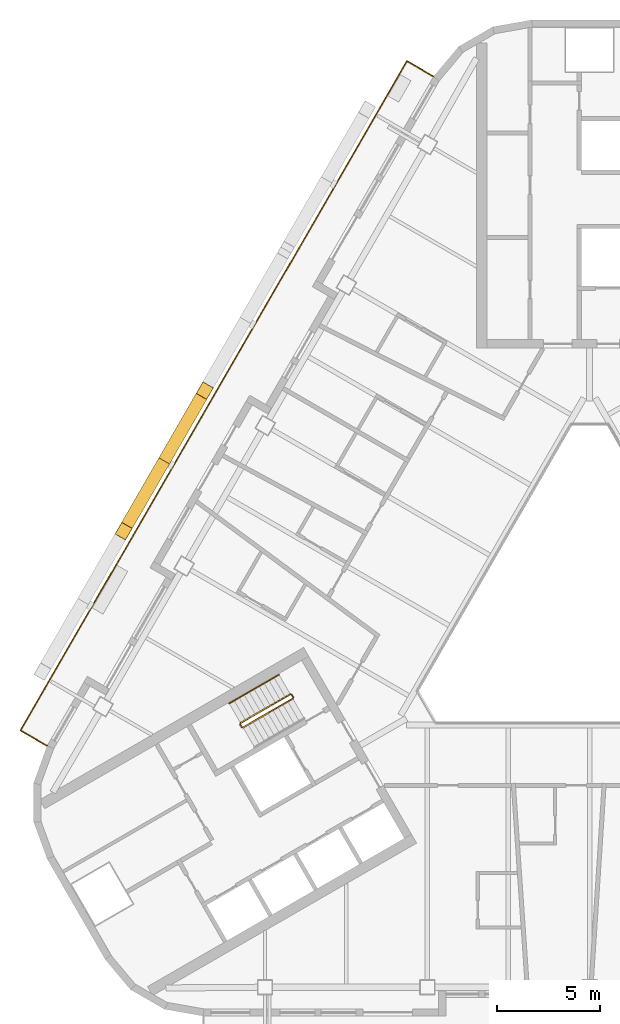
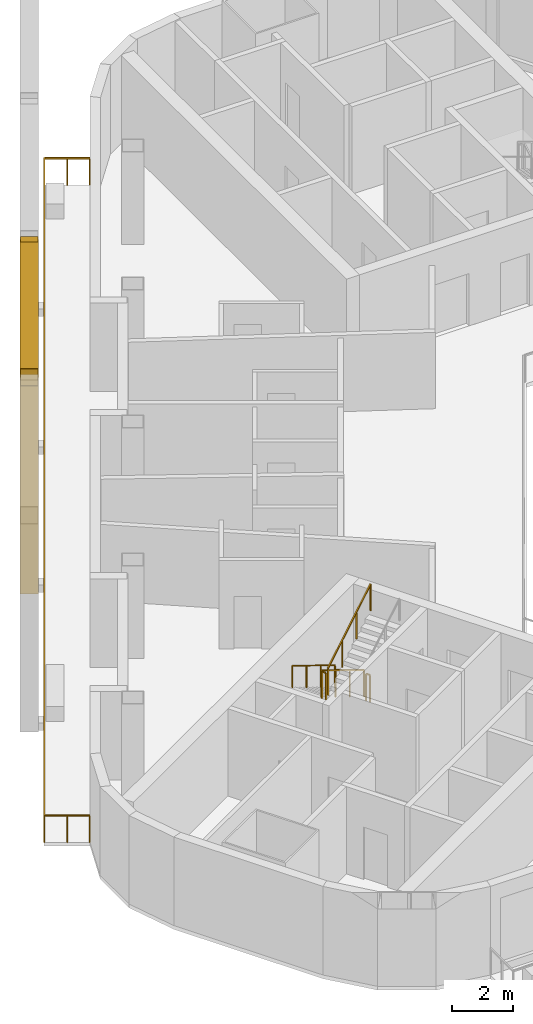
# One storey, part 10 of 14: 6 railings, 2 shading devices.
"""IFC4 building model written with IfcOpenShell, lengths in metres."""

import ifcopenshell
import ifcopenshell.guid

model = None  # the IFC model being written
_history = None  # IfcOwnerHistory: only IFC2X3 demands one
_inside = {}  # id of a spatial element -> (the spatial element, [elements in it])
_under = {}  # id of a project, library or spatial element -> (it, [spatial elements below it])
_declared = {}  # id of a project -> (the project, [libraries it declares])
_typed = {}  # id of a type object -> (the type object, [elements of that type])
_made_of = {}  # id of a material, layer set ... -> (it, [elements and type objects made of it])


def new_model(schema):
    """Start an empty IFC model of exactly this schema.

    Asked for "IFC4X3", IfcOpenShell would pick the latest addendum, in which some entities
    have other attributes; the version numbers below select the first issue.
    IFC2X3 requires an IfcOwnerHistory on every rooted entity: one is made here for all.
    """
    global model, _history
    if schema == "IFC4X3":
        model = ifcopenshell.file(schema_version=(4, 3, 0, 0))
    else:
        model = ifcopenshell.file(schema=schema)
    _inside.clear()
    _under.clear()
    _declared.clear()
    _typed.clear()
    _made_of.clear()
    _history = None
    if model.schema == "IFC2X3":
        org = make("IfcOrganization", Name="unknown")
        user = make(
            "IfcPersonAndOrganization",
            ThePerson=make("IfcPerson", FamilyName="unknown"),
            TheOrganization=org,
        )
        app = make(
            "IfcApplication",
            ApplicationDeveloper=org,
            Version="unknown",
            ApplicationFullName="unknown",
            ApplicationIdentifier="unknown",
        )
        _history = make(
            "IfcOwnerHistory",
            OwningUser=user,
            OwningApplication=app,
            ChangeAction="ADDED",
            CreationDate=0,
        )
    return model


def make(cls, **values):
    """One entity of the class cls with the attributes given. An attribute that is None is left unset."""
    return model.create_entity(
        cls, **{name: value for name, value in values.items() if value is not None}
    )


def rooted(cls, **values):
    """An entity with a GlobalId (a new one), such as an element, a storey or a relation."""
    return make(cls, GlobalId=ifcopenshell.guid.new(), OwnerHistory=_history, **values)


def si_unit(unit_type, name, prefix=None):
    """IfcSIUnit, for example si_unit("LENGTHUNIT", "METRE", prefix="MILLI")."""
    return make("IfcSIUnit", UnitType=unit_type, Prefix=prefix, Name=name)


def assignment(units):
    """IfcUnitAssignment: the units of a project."""
    return None if units is None else make("IfcUnitAssignment", Units=units)


def point(xyz):
    """IfcCartesianPoint."""
    return None if xyz is None else make("IfcCartesianPoint", Coordinates=xyz)


def direction(xyz):
    """IfcDirection."""
    return None if xyz is None else make("IfcDirection", DirectionRatios=xyz)


def frame(location, z_axis=None, x_axis=None):
    """IfcAxis2Placement3D, a coordinate frame: its origin and axes. An axis left out is left unset."""
    return make(
        "IfcAxis2Placement3D",
        Location=point(location),
        Axis=direction(z_axis),
        RefDirection=direction(x_axis),
    )


def frame_2d(location, x_axis=None):
    """IfcAxis2Placement2D, a coordinate frame in the plane: its origin and x axis."""
    return make(
        "IfcAxis2Placement2D", Location=point(location), RefDirection=direction(x_axis)
    )


def origin():
    """The frame at (0, 0, 0) with its axes left unset."""
    return frame((0.0, 0.0, 0.0))


def origin_2d():
    """The frame at (0, 0) in the plane with its x axis left unset."""
    return frame_2d((0.0, 0.0))


def place(relative_to, where):
    """IfcLocalPlacement: puts the frame where relative to a parent placement (None: the world)."""
    return make(
        "IfcLocalPlacement", PlacementRelTo=relative_to, RelativePlacement=where
    )


def context(
    kind, dimensions, precision=None, world=None, true_north=None, identifier=None
):
    """IfcGeometricRepresentationContext, for example the 3D "Model" context."""
    return make(
        "IfcGeometricRepresentationContext",
        ContextIdentifier=identifier,
        ContextType=kind,
        CoordinateSpaceDimension=dimensions,
        Precision=precision,
        WorldCoordinateSystem=world,
        TrueNorth=true_north,
    )


def subcontext(parent, identifier, kind, view, scale=None):
    """IfcGeometricRepresentationSubContext, for example "Body" below "Model"."""
    return make(
        "IfcGeometricRepresentationSubContext",
        ContextIdentifier=identifier,
        ContextType=kind,
        ParentContext=parent,
        TargetScale=scale,
        TargetView=view,
    )


def project(units=None, contexts=None):
    """IfcProject with its units and contexts."""
    return rooted(
        "IfcProject",
        Name="project",
        RepresentationContexts=contexts,
        UnitsInContext=assignment(units),
    )


def spatial(cls, under=None, at=None, **own):
    """A site, building, storey or space (cls), placed at a placement, below another one or the project."""
    s = rooted(cls, ObjectPlacement=at, **own)
    if under is not None:
        _under.setdefault(under.id(), (under, []))[1].append(s)
    return s


def profile(cls, at=None, kind="AREA", **sizes):
    """A parametric profile (cls). Its sizes go by their IFC names, for example OverallWidth=200.0."""
    return make(cls, ProfileType=kind, Position=at, **sizes)


def rectangle(**sizes):
    """IfcRectangleProfileDef."""
    return profile("IfcRectangleProfileDef", **sizes)


def hollow_rectangle(**sizes):
    """IfcRectangleHollowProfileDef."""
    return profile("IfcRectangleHollowProfileDef", **sizes)


def circle(**sizes):
    """IfcCircleProfileDef."""
    return profile("IfcCircleProfileDef", **sizes)


def extrude(swept, where, along, depth):
    """IfcExtrudedAreaSolid: the profile swept, set in the frame where, extruded along a direction by depth."""
    return make(
        "IfcExtrudedAreaSolid",
        SweptArea=swept,
        Position=where,
        ExtrudedDirection=direction(along),
        Depth=depth,
    )


def shape(context_of_items, identifier, shape_type, items):
    """IfcShapeRepresentation: the items that make up one representation, for example the "Body"."""
    return make(
        "IfcShapeRepresentation",
        ContextOfItems=context_of_items,
        RepresentationIdentifier=identifier,
        RepresentationType=shape_type,
        Items=items,
    )


def material(Name=None, Category=None):
    """IfcMaterial."""
    return make("IfcMaterial", Name=Name, Category=Category)


def material_profile(
    of_material, cross_section, Name=None, Category=None, Priority=None
):
    """IfcMaterialProfile: a cross section and its material."""
    return make(
        "IfcMaterialProfile",
        Name=Name,
        Material=of_material,
        Profile=cross_section,
        Priority=Priority,
        Category=Category,
    )


def profile_set(profiles, Name=None, composite=None):
    """IfcMaterialProfileSet."""
    return make(
        "IfcMaterialProfileSet",
        Name=Name,
        MaterialProfiles=profiles,
        CompositeProfile=composite,
    )


def made_of(thing, what):
    """Note that an element or type object is made of a material, layer set ...; save() writes the relation."""
    if what is not None:
        _made_of.setdefault(what.id(), (what, []))[1].append(thing)
    return thing


def type_object(cls, material=None, **own):
    """A type object (cls), such as IfcWallType, which elements share."""
    return made_of(rooted(cls, **own), material)


def element(
    cls,
    number,
    at=None,
    inside=None,
    cuts=None,
    type_object=None,
    material=None,
    context=None,
    identifier="Body",
    shape_type=None,
    held_by="IfcProductDefinitionShape",
    body=None,
    shapes=None,
    **own,
):
    """One element of the class cls, such as IfcWall. Its Tag is "e" and its number.

    at: its placement. inside: the storey or other place that contains it. cuts: it is an
    opening in that element (IfcRelVoidsElement). A single representation is given by context,
    identifier, shape_type and body (its items); several are given by shapes. held_by: the class
    of the entity that holds the representations. save() writes the other relations.
    """
    e = rooted(cls, Tag="e%d" % number, ObjectPlacement=at, **own)
    if body is not None:
        shapes = [shape(context, identifier, shape_type, body)]
    if shapes is not None:
        e.Representation = make(held_by, Representations=shapes)
    if inside is not None:
        _inside.setdefault(inside.id(), (inside, []))[1].append(e)
    if cuts is not None:
        rooted(
            "IfcRelVoidsElement", RelatingBuildingElement=cuts, RelatedOpeningElement=e
        )
    if type_object is not None:
        _typed.setdefault(type_object.id(), (type_object, []))[1].append(e)
    return made_of(e, material)


def aggregate(whole, parts):
    """IfcRelAggregates: a whole, such as a stair, and the parts it consists of."""
    return rooted("IfcRelAggregates", RelatingObject=whole, RelatedObjects=parts)


def save(model, path):
    """Write the relations noted so far, then the file.

    IfcRelAggregates (storeys below a building ...), IfcRelContainedInSpatialStructure (elements
    in a storey), IfcRelDefinesByType, IfcRelAssociatesMaterial and IfcRelDeclares: one each for
    every whole, place, type object, material and project.
    """
    for whole, parts in _under.values():
        aggregate(whole, parts)
    for where, things in _inside.values():
        rooted(
            "IfcRelContainedInSpatialStructure",
            RelatedElements=things,
            RelatingStructure=where,
        )
    for kind, things in _typed.values():
        rooted("IfcRelDefinesByType", RelatedObjects=things, RelatingType=kind)
    for what, things in _made_of.values():
        rooted("IfcRelAssociatesMaterial", RelatedObjects=things, RelatingMaterial=what)
    for by, libraries in _declared.values():
        rooted("IfcRelDeclares", RelatingContext=by, RelatedDefinitions=libraries)
    model.write(path)


model = new_model("IFC4")

# Units and contexts
model_context = context("Model", 3, precision=1e-05, world=origin(), true_north=direction((0.0, 1.0)))
body_context = subcontext(model_context, "Body", "Model", "MODEL_VIEW")
ifc_project = project(units=[si_unit("LENGTHUNIT", "METRE"), si_unit("AREAUNIT", "SQUARE_METRE"), si_unit("VOLUMEUNIT", "CUBIC_METRE"), si_unit("PLANEANGLEUNIT", "RADIAN"), si_unit("MASSUNIT", "GRAM", prefix="KILO")], contexts=[model_context])

# Site, building, storey
site_placement = place(None, origin())
site = spatial("IfcSite", under=ifc_project, at=site_placement, CompositionType="ELEMENT")
building_placement = place(site_placement, origin())
building = spatial("IfcBuilding", under=site, at=building_placement, Name="Apuvela Tower Hotel", CompositionType="ELEMENT")
storey_placement = place(building_placement, frame((0.0, 0.0, 202.10009765625)))
storey = spatial("IfcBuildingStorey", under=building, at=storey_placement, Name="L49", CompositionType="ELEMENT", Elevation=202.10009765625)

# Railings
ifc_material_1 = material(Name="Steel S275 balustrade", Category="steel")
railing_type_1 = type_object("IfcRailingType", Name="COR-GUARD-1100", PredefinedType="GUARDRAIL", material=ifc_material_1)
railing_1_placement = place(storey_placement, frame((-14.569091796875, -3.9658203125, 0.16796875)))
element("IfcRailing", 1, at=railing_1_placement, inside=storey, type_object=railing_type_1, Name="L49 ST2 stair guard 1", PredefinedType="GUARDRAIL", context=body_context, shape_type="SweptSolid", body=[
    extrude(rectangle(XDim=0.048095703125, YDim=0.048095703125, at=origin_2d()), frame((0.0, 0.0, 1.076171875), z_axis=(-0.742390482028, -0.42860119049, 0.514934356695), x_axis=(0.49998411664, -0.866034573852, 0.0)), (0.0, 0.0, 1.0), 3.26611328125),
    extrude(rectangle(XDim=0.0419921875, YDim=0.0419921875, at=origin_2d()), origin(), (0.0, 0.0, 1.0), 1.052001953125),
    extrude(rectangle(XDim=0.0419921875, YDim=0.0419921875, at=origin_2d()), frame((-0.808349609375, -0.466552734375, 0.560546875)), (0.0, 0.0, 1.0), 1.052001953125),
    extrude(rectangle(XDim=0.0419921875, YDim=0.0419921875, at=origin_2d()), frame((-1.616455078125, -0.933349609375, 1.121337890625)), (0.0, 0.0, 1.0), 1.052001953125),
    extrude(rectangle(XDim=0.0419921875, YDim=0.0419921875, at=origin_2d()), frame((-2.4248046875, -1.39990234375, 1.681884765625)), (0.0, 0.0, 1.0), 1.052001953125),
])
railing_2_placement = place(storey_placement, frame((-17.01220703125, -5.43408203125, 1.849853515625)))
element("IfcRailing", 2, at=railing_2_placement, inside=storey, type_object=railing_type_1, Name="L49 ST2 stair guard 2", PredefinedType="GUARDRAIL", context=body_context, shape_type="SweptSolid", body=[
    extrude(rectangle(XDim=0.048095703125, YDim=0.048095703125, at=origin_2d()), frame((0.0, 0.0, 1.076171875), z_axis=(0.499816412211, -0.866131372301, 0.0), x_axis=(0.866131372301, 0.499816412211, 0.0)), (0.0, 0.0, 1.0), 0.14990234375),
    extrude(rectangle(XDim=0.0419921875, YDim=0.0419921875, at=origin_2d()), origin(), (0.0, 0.0, 1.0), 1.052001953125),
    extrude(rectangle(XDim=0.0419921875, YDim=0.0419921875, at=origin_2d()), frame((0.074951171875, -0.1298828125, 0.0)), (0.0, 0.0, 1.0), 1.052001953125),
])
railing_3_placement = place(storey_placement, frame((-16.868896484375, -5.582275390625, 2.01806640625)))
element("IfcRailing", 3, at=railing_3_placement, inside=storey, type_object=railing_type_1, Name="L49 ST2 stair guard 3", PredefinedType="GUARDRAIL", context=body_context, shape_type="SweptSolid", body=[
    extrude(rectangle(XDim=0.048095703125, YDim=0.048095703125, at=origin_2d()), frame((0.0, 0.0, 1.076171875), z_axis=(0.742390482028, 0.42860119049, 0.514934356695), x_axis=(-0.49998411664, 0.866034573852, 0.0)), (0.0, 0.0, 1.0), 3.26611328125),
    extrude(rectangle(XDim=0.0419921875, YDim=0.0419921875, at=origin_2d()), origin(), (0.0, 0.0, 1.0), 1.052001953125),
    extrude(rectangle(XDim=0.0419921875, YDim=0.0419921875, at=origin_2d()), frame((0.808349609375, 0.466552734375, 0.560546875)), (0.0, 0.0, 1.0), 1.052001953125),
    extrude(rectangle(XDim=0.0419921875, YDim=0.0419921875, at=origin_2d()), frame((1.616455078125, 0.933349609375, 1.121337890625)), (0.0, 0.0, 1.0), 1.052001953125),
    extrude(rectangle(XDim=0.0419921875, YDim=0.0419921875, at=origin_2d()), frame((2.4248046875, 1.39990234375, 1.681884765625)), (0.0, 0.0, 1.0), 1.052001953125),
])
railing_4_placement = place(storey_placement, frame((-14.500732421875, -3.984130859375, 0.0)))
element("IfcRailing", 4, at=railing_4_placement, inside=storey, type_object=railing_type_1, Name="L49 ST2 stair guard 4", PredefinedType="GUARDRAIL", context=body_context, shape_type="SweptSolid", body=[
    extrude(rectangle(XDim=0.048095703125, YDim=0.048095703125, at=origin_2d()), frame((0.0, 0.0, 1.076171875), z_axis=(0.499816412211, -0.866131372301, 0.0), x_axis=(0.866131372301, 0.499816412211, 0.0)), (0.0, 0.0, 1.0), 0.14990234375),
    extrude(rectangle(XDim=0.0419921875, YDim=0.0419921875, at=origin_2d()), origin(), (0.0, 0.0, 1.0), 1.052001953125),
    extrude(rectangle(XDim=0.0419921875, YDim=0.0419921875, at=origin_2d()), frame((0.074951171875, -0.1298828125, 0.0)), (0.0, 0.0, 1.0), 1.052001953125),
])
ifc_material_2 = material(Name="Stainless steel 316 handrail", Category="steel")
railing_type_2 = type_object("IfcRailingType", Name="COR-HANDRAIL-900", PredefinedType="HANDRAIL", material=ifc_material_2)
railing_5_placement = place(storey_placement, frame((-15.118896484375, -3.01318359375, 0.16796875)))
element("IfcRailing", 5, at=railing_5_placement, inside=storey, type_object=railing_type_2, Name="L49 ST2 stair handrail 1", PredefinedType="HANDRAIL", context=body_context, shape_type="SweptSolid", body=[
    extrude(circle(Radius=0.02392578125, at=origin_2d()), frame((0.0, 0.0, 0.8759765625), z_axis=(-0.742424030051, -0.428577407461, 0.514905783049), x_axis=(0.49994636267, -0.866056369097, 0.0)), (0.0, 0.0, 1.0), 3.266357421875),
    extrude(rectangle(XDim=0.0419921875, YDim=0.0419921875, at=origin_2d()), origin(), (0.0, 0.0, 1.0), 0.851806640625),
    extrude(rectangle(XDim=0.0419921875, YDim=0.0419921875, at=origin_2d()), frame((-0.808349609375, -0.466552734375, 0.560546875)), (0.0, 0.0, 1.0), 0.851806640625),
    extrude(rectangle(XDim=0.0419921875, YDim=0.0419921875, at=origin_2d()), frame((-1.61669921875, -0.933349609375, 1.121337890625)), (0.0, 0.0, 1.0), 0.851806640625),
    extrude(rectangle(XDim=0.0419921875, YDim=0.0419921875, at=origin_2d()), frame((-2.425048828125, -1.39990234375, 1.681884765625)), (0.0, 0.0, 1.0), 0.851806640625),
])

# Shading devices
ifc_material_3 = material(Name="Aluminium 6063-T6, black anodised", Category="aluminium")
ifc_material_profile = material_profile(ifc_material_3, hollow_rectangle(XDim=0.60009765625, YDim=0.699951171875, WallThickness=0.011962890625, at=origin_2d()), Name="AL BOX 700x600x12")
ifc_profile_set = profile_set([ifc_material_profile], Name="Aluminium 6063-T6, black anodised")
shading_device_type = type_object("IfcShadingDeviceType", Name="ENV-FIN-700x600", PredefinedType="USERDEFINED", material=ifc_profile_set)
for number, where, z_axis, x_axis, name in (
    (6, (-20.70703125, 7.394287109375, -0.10009765625), (0.167617622475, 0.290331376992, 0.942131638451), (-0.866032218625, 0.499988196164, 0.0), "Lattice fin NW509"),
    (7, (-20.70703125, 7.394287109375, -0.10009765625), (-0.1676367533, -0.290349343294, 0.942122697844), (0.866020906874, -0.500007788796, 0.0), "Lattice fin NW510"),
):
    element("IfcShadingDevice", number, at=place(storey_placement, frame(where, z_axis=z_axis, x_axis=x_axis)), inside=storey, type_object=shading_device_type, Name=name, ObjectType="FIN", PredefinedType="USERDEFINED", context=body_context, shape_type="SweptSolid", body=[
        extrude(hollow_rectangle(XDim=0.60009765625, YDim=0.699951171875, WallThickness=0.011962890625, at=origin_2d()), origin(), (0.0, 0.0, 1.0), 11.781982421875),
    ])

# Railing
ifc_material_4 = material(Name="Stainless steel 316 rail with laminated glass infill", Category="steel")
railing_type_3 = type_object("IfcRailingType", Name="ENV-GUARD-1100", PredefinedType="GUARDRAIL", material=ifc_material_4)
railing_6_placement = place(storey_placement, frame((-7.59228515625, 26.110107421875, 0.0)))
element("IfcRailing", 8, at=railing_6_placement, inside=storey, type_object=railing_type_3, Name="Balcony guard NW L49", PredefinedType="GUARDRAIL", context=body_context, shape_type="SweptSolid", body=[
    extrude(rectangle(XDim=0.050048828125, YDim=0.050048828125, at=origin_2d()), frame((0.0, 0.0, 1.0751953125), z_axis=(-0.86599040064, 0.500060622324, 0.0), x_axis=(-0.500060622324, -0.86599040064, 0.0)), (0.0, 0.0, 1.0), 1.499755859375),
    extrude(rectangle(XDim=0.050048828125, YDim=0.050048828125, at=origin_2d()), frame((-1.298828125, 0.75, 1.0751953125), z_axis=(-0.500000437506, -0.86602515119, 0.0), x_axis=(0.86602515119, -0.500000437506, 0.0)), (0.0, 0.0, 1.0), 37.6318359375),
    extrude(rectangle(XDim=0.050048828125, YDim=0.050048828125, at=origin_2d()), frame((-20.11474609375, -31.840087890625, 1.0751953125), z_axis=(0.866031096941, -0.499990139034, 0.0), x_axis=(0.499990139034, 0.866031096941, 0.0)), (0.0, 0.0, 1.0), 1.5),
    extrude(rectangle(XDim=0.0400390625, YDim=0.0400390625, at=origin_2d()), origin(), (0.0, 0.0, 1.0), 1.050048828125),
    extrude(rectangle(XDim=0.0400390625, YDim=0.0400390625, at=origin_2d()), frame((-0.6494140625, 0.375, 0.0)), (0.0, 0.0, 1.0), 1.050048828125),
    extrude(rectangle(XDim=0.0400390625, YDim=0.0400390625, at=origin_2d()), frame((-1.298828125, 0.75, 0.0)), (0.0, 0.0, 1.0), 1.050048828125),
    extrude(rectangle(XDim=0.0400390625, YDim=0.0400390625, at=origin_2d()), frame((-1.88671875, -0.2685546875, 0.0)), (0.0, 0.0, 1.0), 1.050048828125),
    extrude(rectangle(XDim=0.0400390625, YDim=0.0400390625, at=origin_2d()), frame((-2.474853515625, -1.286865234375, 0.0)), (0.0, 0.0, 1.0), 1.050048828125),
    extrude(rectangle(XDim=0.0400390625, YDim=0.0400390625, at=origin_2d()), frame((-3.062744140625, -2.305419921875, 0.0)), (0.0, 0.0, 1.0), 1.050048828125),
    extrude(rectangle(XDim=0.0400390625, YDim=0.0400390625, at=origin_2d()), frame((-3.65087890625, -3.32373046875, 0.0)), (0.0, 0.0, 1.0), 1.050048828125),
    extrude(rectangle(XDim=0.0400390625, YDim=0.0400390625, at=origin_2d()), frame((-4.23876953125, -4.34228515625, 0.0)), (0.0, 0.0, 1.0), 1.050048828125),
    extrude(rectangle(XDim=0.0400390625, YDim=0.0400390625, at=origin_2d()), frame((-4.826904296875, -5.360595703125, 0.0)), (0.0, 0.0, 1.0), 1.050048828125),
    extrude(rectangle(XDim=0.0400390625, YDim=0.0400390625, at=origin_2d()), frame((-5.414794921875, -6.379150390625, 0.0)), (0.0, 0.0, 1.0), 1.050048828125),
    extrude(rectangle(XDim=0.0400390625, YDim=0.0400390625, at=origin_2d()), frame((-6.0029296875, -7.3974609375, 0.0)), (0.0, 0.0, 1.0), 1.050048828125),
    extrude(rectangle(XDim=0.0400390625, YDim=0.0400390625, at=origin_2d()), frame((-6.5908203125, -8.416015625, 0.0)), (0.0, 0.0, 1.0), 1.050048828125),
    extrude(rectangle(XDim=0.0400390625, YDim=0.0400390625, at=origin_2d()), frame((-7.1787109375, -9.434326171875, 0.0)), (0.0, 0.0, 1.0), 1.050048828125),
    extrude(rectangle(XDim=0.0400390625, YDim=0.0400390625, at=origin_2d()), frame((-7.766845703125, -10.452880859375, 0.0)), (0.0, 0.0, 1.0), 1.050048828125),
    extrude(rectangle(XDim=0.0400390625, YDim=0.0400390625, at=origin_2d()), frame((-8.354736328125, -11.47119140625, 0.0)), (0.0, 0.0, 1.0), 1.050048828125),
    extrude(rectangle(XDim=0.0400390625, YDim=0.0400390625, at=origin_2d()), frame((-8.94287109375, -12.48974609375, 0.0)), (0.0, 0.0, 1.0), 1.050048828125),
    extrude(rectangle(XDim=0.0400390625, YDim=0.0400390625, at=origin_2d()), frame((-9.53076171875, -13.508056640625, 0.0)), (0.0, 0.0, 1.0), 1.050048828125),
    extrude(rectangle(XDim=0.0400390625, YDim=0.0400390625, at=origin_2d()), frame((-10.118896484375, -14.526611328125, 0.0)), (0.0, 0.0, 1.0), 1.050048828125),
    extrude(rectangle(XDim=0.0400390625, YDim=0.0400390625, at=origin_2d()), frame((-10.706787109375, -15.544921875, 0.0)), (0.0, 0.0, 1.0), 1.050048828125),
    extrude(rectangle(XDim=0.0400390625, YDim=0.0400390625, at=origin_2d()), frame((-11.294677734375, -16.5634765625, 0.0)), (0.0, 0.0, 1.0), 1.050048828125),
    extrude(rectangle(XDim=0.0400390625, YDim=0.0400390625, at=origin_2d()), frame((-11.8828125, -17.58203125, 0.0)), (0.0, 0.0, 1.0), 1.050048828125),
    extrude(rectangle(XDim=0.0400390625, YDim=0.0400390625, at=origin_2d()), frame((-12.470703125, -18.600341796875, 0.0)), (0.0, 0.0, 1.0), 1.050048828125),
    extrude(rectangle(XDim=0.0400390625, YDim=0.0400390625, at=origin_2d()), frame((-13.058837890625, -19.618896484375, 0.0)), (0.0, 0.0, 1.0), 1.050048828125),
    extrude(rectangle(XDim=0.0400390625, YDim=0.0400390625, at=origin_2d()), frame((-13.646728515625, -20.63720703125, 0.0)), (0.0, 0.0, 1.0), 1.050048828125),
    extrude(rectangle(XDim=0.0400390625, YDim=0.0400390625, at=origin_2d()), frame((-14.23486328125, -21.65576171875, 0.0)), (0.0, 0.0, 1.0), 1.050048828125),
    extrude(rectangle(XDim=0.0400390625, YDim=0.0400390625, at=origin_2d()), frame((-14.82275390625, -22.674072265625, 0.0)), (0.0, 0.0, 1.0), 1.050048828125),
    extrude(rectangle(XDim=0.0400390625, YDim=0.0400390625, at=origin_2d()), frame((-15.41064453125, -23.692626953125, 0.0)), (0.0, 0.0, 1.0), 1.050048828125),
    extrude(rectangle(XDim=0.0400390625, YDim=0.0400390625, at=origin_2d()), frame((-15.998779296875, -24.7109375, 0.0)), (0.0, 0.0, 1.0), 1.050048828125),
    extrude(rectangle(XDim=0.0400390625, YDim=0.0400390625, at=origin_2d()), frame((-16.586669921875, -25.7294921875, 0.0)), (0.0, 0.0, 1.0), 1.050048828125),
    extrude(rectangle(XDim=0.0400390625, YDim=0.0400390625, at=origin_2d()), frame((-17.1748046875, -26.747802734375, 0.0)), (0.0, 0.0, 1.0), 1.050048828125),
    extrude(rectangle(XDim=0.0400390625, YDim=0.0400390625, at=origin_2d()), frame((-17.7626953125, -27.766357421875, 0.0)), (0.0, 0.0, 1.0), 1.050048828125),
    extrude(rectangle(XDim=0.0400390625, YDim=0.0400390625, at=origin_2d()), frame((-18.350830078125, -28.78466796875, 0.0)), (0.0, 0.0, 1.0), 1.050048828125),
    extrude(rectangle(XDim=0.0400390625, YDim=0.0400390625, at=origin_2d()), frame((-18.938720703125, -29.80322265625, 0.0)), (0.0, 0.0, 1.0), 1.050048828125),
    extrude(rectangle(XDim=0.0400390625, YDim=0.0400390625, at=origin_2d()), frame((-19.52685546875, -30.821533203125, 0.0)), (0.0, 0.0, 1.0), 1.050048828125),
    extrude(rectangle(XDim=0.0400390625, YDim=0.0400390625, at=origin_2d()), frame((-20.11474609375, -31.840087890625, 0.0)), (0.0, 0.0, 1.0), 1.050048828125),
    extrude(rectangle(XDim=0.0400390625, YDim=0.0400390625, at=origin_2d()), frame((-19.46533203125, -32.215087890625, 0.0)), (0.0, 0.0, 1.0), 1.050048828125),
    extrude(rectangle(XDim=0.0400390625, YDim=0.0400390625, at=origin_2d()), frame((-18.815673828125, -32.590087890625, 0.0)), (0.0, 0.0, 1.0), 1.050048828125),
])

save(model, "model.ifc")
